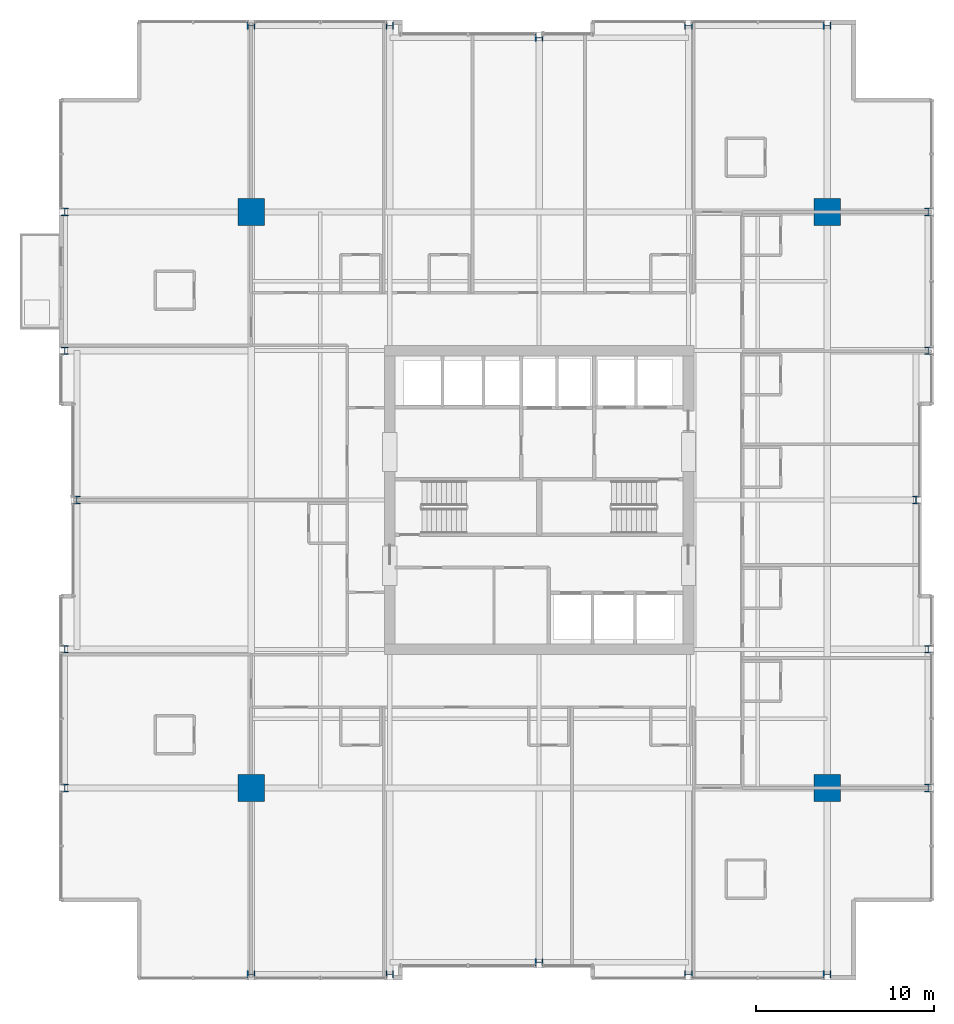
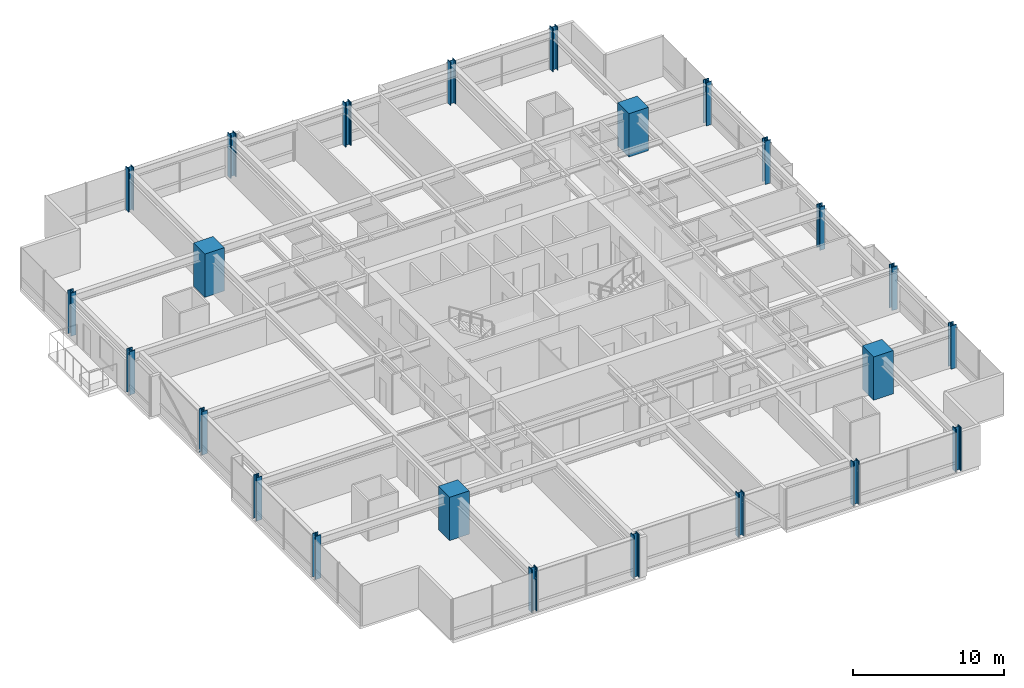
# One storey, part 1 of 35: 24 columns.
"""IFC4 building model written with IfcOpenShell, lengths in metres."""

from ifc_helpers import new_model, si_unit, direction, frame, origin, origin_2d, place, context, subcontext, project, spatial, rectangle, i_section, extrude, material, material_profile, profile_set, type_object, element, save


model = new_model("IFC4")

# Units and contexts
model_context = context("Model", 3, precision=1e-05, world=origin(), true_north=direction((0.0, 1.0)))
body_context = subcontext(model_context, "Body", "Model", "MODEL_VIEW")
ifc_project = project(units=[si_unit("LENGTHUNIT", "METRE"), si_unit("AREAUNIT", "SQUARE_METRE"), si_unit("VOLUMEUNIT", "CUBIC_METRE"), si_unit("PLANEANGLEUNIT", "RADIAN"), si_unit("MASSUNIT", "GRAM", prefix="KILO")], contexts=[model_context])

# Site, building, storey
site_placement = place(None, origin())
site = spatial("IfcSite", under=ifc_project, at=site_placement, CompositionType="ELEMENT")
building_placement = place(site_placement, origin())
building = spatial("IfcBuilding", under=site, at=building_placement, Name="Drelvath Grand Hotel", CompositionType="ELEMENT")
storey_placement = place(building_placement, frame((0.0, 0.0, 130.300048828125)))
storey = spatial("IfcBuildingStorey", under=building, at=storey_placement, Name="L33", CompositionType="ELEMENT", Elevation=130.300048828125)

# Columns
ifc_material_1 = material(Name="Concrete f'c 70 MPa", Category="concrete")
ifc_material_profile_1 = material_profile(ifc_material_1, rectangle(XDim=1.5, YDim=1.5, at=origin_2d()), Name="MC1500X1500")
ifc_profile_set_1 = profile_set([ifc_material_profile_1], Name="Concrete f'c 70 MPa")
column_type_1 = type_object("IfcColumnType", Name="Composite Mega Column MC1500X1500", PredefinedType="COLUMN", material=ifc_profile_set_1)
for number, where, z_axis, x_axis, name in (
    (1, (-16.199951171875, 10.800048828125, 0.0), (0.0, 0.0, 1.0), (1.0, 0.0, 0.0), "L33 Composite Mega Column MC-SW"),
    (2, (16.199951171875, 10.800048828125, 0.0), (0.0, 0.0, 1.0), (1.0, 0.0, 0.0), "L33 Composite Mega Column MC-SE"),
    (3, (-16.199951171875, 43.199951171875, 0.0), (0.0, 0.0, 1.0), (1.0, 0.0, 0.0), "L33 Composite Mega Column MC-NW"),
    (4, (16.199951171875, 43.199951171875, 0.0), (0.0, 0.0, 1.0), (1.0, 0.0, 0.0), "L33 Composite Mega Column MC-NE"),
):
    element("IfcColumn", number, at=place(storey_placement, frame(where, z_axis=z_axis, x_axis=x_axis)), inside=storey, type_object=column_type_1, Name=name, PredefinedType="COLUMN", context=body_context, shape_type="SweptSolid", body=[
        extrude(rectangle(XDim=1.5, YDim=1.5, at=origin_2d()), origin(), (0.0, 0.0, 1.0), 3.5),
    ])
ifc_material_2 = material(Name="Steel ASTM A913 Gr 65", Category="steel")
ifc_material_profile_2 = material_profile(ifc_material_2, i_section(OverallWidth=0.412109375, OverallDepth=0.434814453125, WebThickness=0.035888671875, FlangeThickness=0.057373046875, FilletRadius=0.028076171875, at=origin_2d()), Name="W14X311")
ifc_profile_set_2 = profile_set([ifc_material_profile_2], Name="Steel ASTM A913 Gr 65")
column_type_2 = type_object("IfcColumnType", Name="Perimeter Steel Column W14X311", PredefinedType="COLUMN", material=ifc_profile_set_2)
for number, where, z_axis, x_axis, name in (
    (5, (-26.679931640625, 10.800048828125, 0.0), (0.0, 0.0, 1.0), (1.0, 0.0, 0.0), "L33 Structural Column TCW-C"),
    (6, (21.8798828125, 10.800048828125, 0.0), (0.0, 0.0, 1.0), (1.0, 0.0, 0.0), "L33 Structural Column TCE-C"),
    (7, (-26.679931640625, 18.60009765625, 0.0), (0.0, 0.0, 1.0), (1.0, 0.0, 0.0), "L33 Structural Column TCW-D"),
    (8, (21.8798828125, 18.60009765625, 0.0), (0.0, 0.0, 1.0), (1.0, 0.0, 0.0), "L33 Structural Column TCE-D"),
    (9, (-26.0, 27.0, 0.0), (0.0, 0.0, 1.0), (1.0, 0.0, 0.0), "L33 Structural Column TCW-E"),
    (10, (21.199951171875, 27.0, 0.0), (0.0, 0.0, 1.0), (1.0, 0.0, 0.0), "L33 Structural Column TCE-E"),
    (11, (-26.679931640625, 35.39990234375, 0.0), (0.0, 0.0, 1.0), (1.0, 0.0, 0.0), "L33 Structural Column TCW-F"),
    (12, (21.8798828125, 35.39990234375, 0.0), (0.0, 0.0, 1.0), (1.0, 0.0, 0.0), "L33 Structural Column TCE-F"),
    (13, (-26.679931640625, 43.199951171875, 0.0), (0.0, 0.0, 1.0), (1.0, 0.0, 0.0), "L33 Structural Column TCW-G"),
    (14, (21.8798828125, 43.199951171875, 0.0), (0.0, 0.0, 1.0), (1.0, 0.0, 0.0), "L33 Structural Column TCE-G"),
    (15, (-16.199951171875, 0.320068359375, 0.0), (0.0, 0.0, 1.0), (0.0, 1.0, 0.0), "L33 Structural Column TCS-3"),
    (16, (-16.199951171875, 53.679931640625, 0.0), (0.0, 0.0, 1.0), (0.0, 1.0, 0.0), "L33 Structural Column TCN-3"),
    (17, (-8.39990234375, 0.320068359375, 0.0), (0.0, 0.0, 1.0), (0.0, 1.0, 0.0), "L33 Structural Column TCS-4"),
    (18, (-8.39990234375, 53.679931640625, 0.0), (0.0, 0.0, 1.0), (0.0, 1.0, 0.0), "L33 Structural Column TCN-4"),
    (19, (0.0, 1.0, 0.0), (0.0, 0.0, 1.0), (0.0, 1.0, 0.0), "L33 Structural Column TCS-5"),
    (20, (0.0, 53.0, 0.0), (0.0, 0.0, 1.0), (0.0, 1.0, 0.0), "L33 Structural Column TCN-5"),
    (21, (8.39990234375, 0.320068359375, 0.0), (0.0, 0.0, 1.0), (0.0, 1.0, 0.0), "L33 Structural Column TCS-6"),
    (22, (8.39990234375, 53.679931640625, 0.0), (0.0, 0.0, 1.0), (0.0, 1.0, 0.0), "L33 Structural Column TCN-6"),
    (23, (16.199951171875, 0.320068359375, 0.0), (0.0, 0.0, 1.0), (0.0, 1.0, 0.0), "L33 Structural Column TCS-7"),
    (24, (16.199951171875, 53.679931640625, 0.0), (0.0, 0.0, 1.0), (0.0, 1.0, 0.0), "L33 Structural Column TCN-7"),
):
    element("IfcColumn", number, at=place(storey_placement, frame(where, z_axis=z_axis, x_axis=x_axis)), inside=storey, type_object=column_type_2, Name=name, PredefinedType="COLUMN", context=body_context, shape_type="SweptSolid", body=[
        extrude(i_section(OverallWidth=0.412109375, OverallDepth=0.434814453125, WebThickness=0.035888671875, FlangeThickness=0.057373046875, FilletRadius=0.028076171875, at=origin_2d()), origin(), (0.0, 0.0, 1.0), 3.4970703125),
    ])

save(model, "model.ifc")
